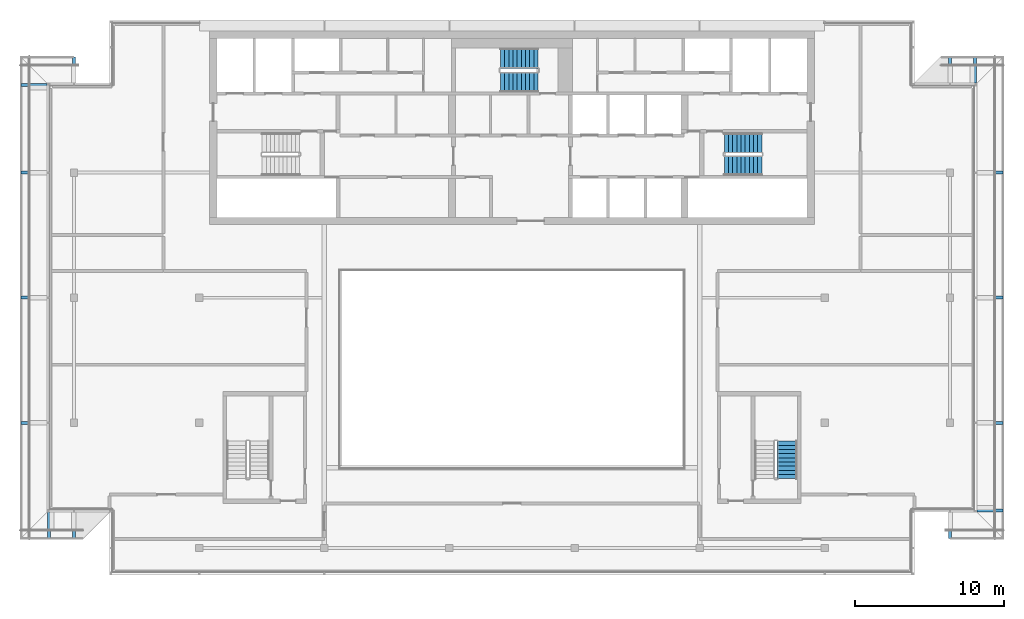
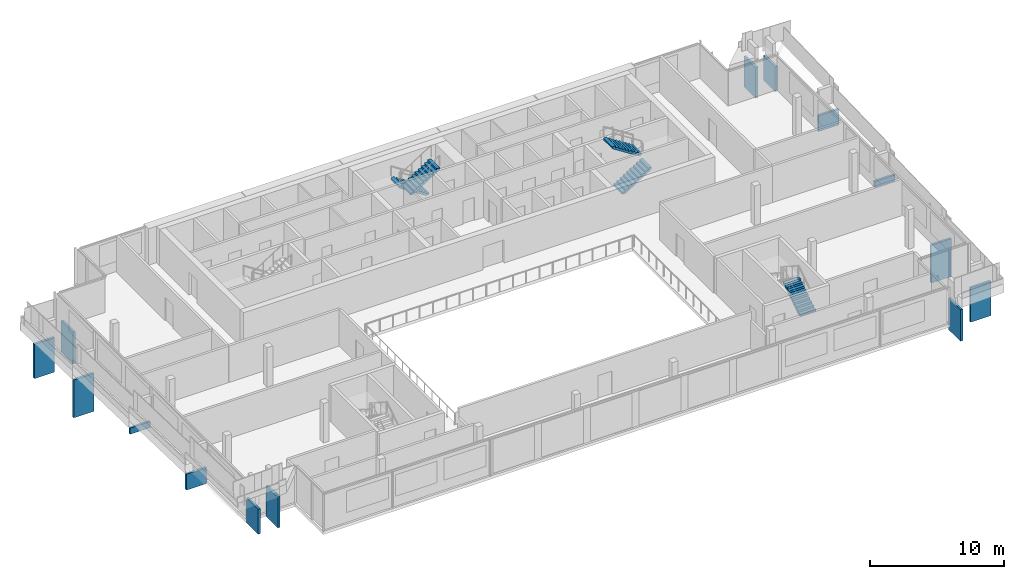
# One storey, part 15 of 20: 14 discrete accessories, 5 stair flights, 3 elements without a shape of their own.
"""IFC4 building model written with IfcOpenShell, lengths in metres."""

from ifc_helpers import new_model, si_unit, direction, frame, origin, origin_2d, place, context, subcontext, project, spatial, polyline, rectangle, outline, extrude, material, type_object, element, aggregate, save


model = new_model("IFC4")

# Units and contexts
model_context = context("Model", 3, precision=1e-05, world=origin(), true_north=direction((0.0, 1.0)))
body_context = subcontext(model_context, "Body", "Model", "MODEL_VIEW")
ifc_project = project(units=[si_unit("LENGTHUNIT", "METRE"), si_unit("AREAUNIT", "SQUARE_METRE"), si_unit("VOLUMEUNIT", "CUBIC_METRE"), si_unit("PLANEANGLEUNIT", "RADIAN"), si_unit("MASSUNIT", "GRAM", prefix="KILO")], contexts=[model_context])

# Site, building, storey
site_placement = place(None, origin())
site = spatial("IfcSite", under=ifc_project, at=site_placement, CompositionType="ELEMENT")
building_placement = place(site_placement, origin())
building = spatial("IfcBuilding", under=site, at=building_placement, Name="Saffron Gate Tower", CompositionType="ELEMENT")
storey_placement = place(building_placement, frame((0.0, 0.0, 303.14990234375)))
storey = spatial("IfcBuildingStorey", under=building, at=storey_placement, Name="L74", CompositionType="ELEMENT", Elevation=303.14990234375)

# Stair, stair flights
ifc_material = material(Name="Concrete C40", Category="concrete")
stair_type = type_object("IfcStairType", Name="ST7 Stair 1350 wide, 20 risers of 180", PredefinedType="HALF_TURN_STAIR", material=ifc_material)
stair_1_placement = place(storey_placement, origin())
stair_1 = element("IfcStair", 1, at=stair_1_placement, inside=storey, type_object=stair_type, Name="L74 Exit stair B", PredefinedType="HALF_TURN_STAIR")
stair_flight_type = type_object("IfcStairFlightType", Name="SF3 Stair flight 1350 wide, riser 180 going 280", PredefinedType="STRAIGHT", material=ifc_material)
stair_flight_1_placement = place(storey_placement, frame((101.85009765625, 65.875, 0.0), z_axis=(0.0, 0.0, 1.0), x_axis=(1.0, 0.0, 0.0)))
stair_flight_1 = element("IfcStairFlight", 2, at=stair_flight_1_placement, type_object=stair_flight_type, Name="ST-B flight 1", NumberOfRisers=10, NumberOfTreads=9, PredefinedType="STRAIGHT", RiserHeight=0.18, TreadLength=0.28, context=body_context, shape_type="SweptSolid", body=[
    extrude(outline(polyline([(0.0, 0.0), (0.0, 0.179931640625), (0.280029296875, 0.179931640625), (0.280029296875, 0.360107421875), (0.56005859375, 0.360107421875), (0.56005859375, 0.5400390625), (0.840087890625, 0.5400390625), (0.840087890625, 0.719970703125), (1.1201171875, 0.719970703125), (1.1201171875, 0.89990234375), (1.39990234375, 0.89990234375), (1.39990234375, 1.080078125), (1.679931640625, 1.080078125), (1.679931640625, 1.260009765625), (1.9599609375, 1.260009765625), (1.9599609375, 1.43994140625), (2.239990234375, 1.43994140625), (2.239990234375, 1.6201171875), (2.52001953125, 1.6201171875), (2.52001953125, 1.800048828125), (2.52001953125, 1.44189453125), (0.277099609375, 0.0), (0.0, 0.0)])), frame((0.0, 0.675048828125, 0.0), z_axis=(0.0, -1.0, 0.0), x_axis=(1.0, 0.0, 0.0)), (0.0, 0.0, 1.0), 1.35009765625),
])
stair_flight_2_placement = place(storey_placement, frame((104.3701171875, 67.375, 1.800048828125), z_axis=(0.0, 0.0, 1.0), x_axis=(-1.0, 0.0, 0.0)))
stair_flight_2 = element("IfcStairFlight", 3, at=stair_flight_2_placement, type_object=stair_flight_type, Name="ST-B flight 2", NumberOfRisers=10, NumberOfTreads=9, PredefinedType="STRAIGHT", RiserHeight=0.18, TreadLength=0.28, context=body_context, shape_type="SweptSolid", body=[
    extrude(outline(polyline([(0.0, 0.0), (0.0, 0.179931640625), (0.280029296875, 0.179931640625), (0.280029296875, 0.360107421875), (0.56005859375, 0.360107421875), (0.56005859375, 0.5400390625), (0.840087890625, 0.5400390625), (0.840087890625, 0.719970703125), (1.1201171875, 0.719970703125), (1.1201171875, 0.89990234375), (1.39990234375, 0.89990234375), (1.39990234375, 1.080078125), (1.679931640625, 1.080078125), (1.679931640625, 1.260009765625), (1.9599609375, 1.260009765625), (1.9599609375, 1.43994140625), (2.239990234375, 1.43994140625), (2.239990234375, 1.6201171875), (2.52001953125, 1.6201171875), (2.52001953125, 1.800048828125), (2.52001953125, 1.44189453125), (0.277099609375, 0.0), (0.0, 0.0)])), frame((0.0, 0.675048828125, 0.0), z_axis=(0.0, -1.0, 0.0), x_axis=(1.0, 0.0, 0.0)), (0.0, 0.0, 1.0), 1.35009765625),
])
aggregate(stair_1, [stair_flight_1, stair_flight_2])

stair_2_placement = place(storey_placement, origin())
stair_2 = element("IfcStair", 4, at=stair_2_placement, inside=storey, type_object=stair_type, Name="L74 Exit stair C", PredefinedType="HALF_TURN_STAIR")
stair_flight_3_placement = place(storey_placement, frame((89.35009765625, 73.074951171875, 0.0), z_axis=(0.0, 0.0, 1.0), x_axis=(-1.0, 0.0, 0.0)))
stair_flight_3 = element("IfcStairFlight", 5, at=stair_flight_3_placement, type_object=stair_flight_type, Name="ST-C flight 1", NumberOfRisers=10, NumberOfTreads=9, PredefinedType="STRAIGHT", RiserHeight=0.18, TreadLength=0.28, context=body_context, shape_type="SweptSolid", body=[
    extrude(outline(polyline([(0.0, 0.0), (0.0, 0.179931640625), (0.280029296875, 0.179931640625), (0.280029296875, 0.360107421875), (0.56005859375, 0.360107421875), (0.56005859375, 0.5400390625), (0.840087890625, 0.5400390625), (0.840087890625, 0.719970703125), (1.1201171875, 0.719970703125), (1.1201171875, 0.89990234375), (1.39990234375, 0.89990234375), (1.39990234375, 1.080078125), (1.679931640625, 1.080078125), (1.679931640625, 1.260009765625), (1.9599609375, 1.260009765625), (1.9599609375, 1.43994140625), (2.239990234375, 1.43994140625), (2.239990234375, 1.6201171875), (2.52001953125, 1.6201171875), (2.52001953125, 1.800048828125), (2.52001953125, 1.44189453125), (0.277099609375, 0.0), (0.0, 0.0)])), frame((0.0, 0.675048828125, 0.0), z_axis=(0.0, -1.0, 0.0), x_axis=(1.0, 0.0, 0.0)), (0.0, 0.0, 1.0), 1.35009765625),
])
stair_flight_4_placement = place(storey_placement, frame((86.830078125, 71.47509765625, 1.800048828125), z_axis=(0.0, 0.0, 1.0), x_axis=(1.0, 0.0, 0.0)))
stair_flight_4 = element("IfcStairFlight", 6, at=stair_flight_4_placement, type_object=stair_flight_type, Name="ST-C flight 2", NumberOfRisers=10, NumberOfTreads=9, PredefinedType="STRAIGHT", RiserHeight=0.18, TreadLength=0.28, context=body_context, shape_type="SweptSolid", body=[
    extrude(outline(polyline([(0.0, 0.0), (0.0, 0.179931640625), (0.280029296875, 0.179931640625), (0.280029296875, 0.360107421875), (0.56005859375, 0.360107421875), (0.56005859375, 0.5400390625), (0.840087890625, 0.5400390625), (0.840087890625, 0.719970703125), (1.1201171875, 0.719970703125), (1.1201171875, 0.89990234375), (1.39990234375, 0.89990234375), (1.39990234375, 1.080078125), (1.679931640625, 1.080078125), (1.679931640625, 1.260009765625), (1.9599609375, 1.260009765625), (1.9599609375, 1.43994140625), (2.239990234375, 1.43994140625), (2.239990234375, 1.6201171875), (2.52001953125, 1.6201171875), (2.52001953125, 1.800048828125), (2.52001953125, 1.44189453125), (0.277099609375, 0.0), (0.0, 0.0)])), frame((0.0, 0.675048828125, 0.0), z_axis=(0.0, -1.0, 0.0), x_axis=(1.0, 0.0, 0.0)), (0.0, 0.0, 1.0), 1.35009765625),
])
aggregate(stair_2, [stair_flight_3, stair_flight_4])

# Stair, stair flight
stair_3_placement = place(storey_placement, origin())
stair_3 = element("IfcStair", 7, at=stair_3_placement, inside=storey, type_object=stair_type, Name="L74 Exit stair E", PredefinedType="HALF_TURN_STAIR")
stair_flight_5_placement = place(storey_placement, frame((106.074951171875, 44.85009765625, 0.0), z_axis=(0.0, 0.0, 1.0), x_axis=(0.0, 1.0, 0.0)))
stair_flight_5 = element("IfcStairFlight", 8, at=stair_flight_5_placement, type_object=stair_flight_type, Name="ST-E flight 1", NumberOfRisers=10, NumberOfTreads=9, PredefinedType="STRAIGHT", RiserHeight=0.18, TreadLength=0.28, context=body_context, shape_type="SweptSolid", body=[
    extrude(outline(polyline([(0.0, 0.0), (0.0, 0.179931640625), (0.280029296875, 0.179931640625), (0.280029296875, 0.360107421875), (0.56005859375, 0.360107421875), (0.56005859375, 0.5400390625), (0.840087890625, 0.5400390625), (0.840087890625, 0.719970703125), (1.1201171875, 0.719970703125), (1.1201171875, 0.89990234375), (1.39990234375, 0.89990234375), (1.39990234375, 1.080078125), (1.679931640625, 1.080078125), (1.679931640625, 1.260009765625), (1.9599609375, 1.260009765625), (1.9599609375, 1.43994140625), (2.239990234375, 1.43994140625), (2.239990234375, 1.6201171875), (2.52001953125, 1.6201171875), (2.52001953125, 1.800048828125), (2.52001953125, 1.44189453125), (0.277099609375, 0.0), (0.0, 0.0)])), frame((0.0, 0.675048828125, 0.0), z_axis=(0.0, -1.0, 0.0), x_axis=(1.0, 0.0, 0.0)), (0.0, 0.0, 1.0), 1.35009765625),
])
aggregate(stair_3, [stair_flight_5])

# Discrete accessories
discrete_accessory_1_placement = place(storey_placement, frame((58.199951171875, 72.27490234375, -3.8798828125), z_axis=(0.0, 0.0, 1.0), x_axis=(-1.0, 0.0, 0.0)))
element("IfcDiscreteAccessory", 9, at=discrete_accessory_1_placement, inside=storey, Name="LEDGE rib", PredefinedType="BRACKET", context=body_context, shape_type="SweptSolid", body=[
    extrude(rectangle(XDim=0.199951171875, YDim=1.75, at=origin_2d()), origin(), (0.0, 0.0, 1.0), 2.88916015625),
])
discrete_accessory_2_placement = place(storey_placement, frame((55.52490234375, 71.280029296875, -3.8798828125), z_axis=(0.0, 0.0, 1.0), x_axis=(0.0, -1.0, 0.0)))
element("IfcDiscreteAccessory", 10, at=discrete_accessory_2_placement, inside=storey, Name="LEDGE rib", PredefinedType="BRACKET", context=body_context, shape_type="SweptSolid", body=[
    extrude(rectangle(XDim=0.199951171875, YDim=1.75, at=origin_2d()), origin(), (0.0, 0.0, 1.0), 3.1279296875),
])
discrete_accessory_3_placement = place(storey_placement, frame((55.52490234375, 65.39990234375, -3.8798828125), z_axis=(0.0, 0.0, 1.0), x_axis=(0.0, -1.0, 0.0)))
element("IfcDiscreteAccessory", 11, at=discrete_accessory_3_placement, inside=storey, Name="LEDGE rib", PredefinedType="BRACKET", context=body_context, shape_type="SweptSolid", body=[
    extrude(rectangle(XDim=0.199951171875, YDim=1.75, at=origin_2d()), origin(), (0.0, 0.0, 1.0), 3.44091796875),
])
discrete_accessory_4_placement = place(storey_placement, frame((55.52490234375, 57.0, -0.27978515625), z_axis=(0.0, 0.0, 1.0), x_axis=(0.0, -1.0, 0.0)))
element("IfcDiscreteAccessory", 12, at=discrete_accessory_4_placement, inside=storey, Name="LEDGE rib", PredefinedType="BRACKET", context=body_context, shape_type="SweptSolid", body=[
    extrude(rectangle(XDim=0.199951171875, YDim=1.75, at=origin_2d()), origin(), (0.0, 0.0, 1.0), 0.550537109375),
])
discrete_accessory_5_placement = place(storey_placement, frame((55.52490234375, 48.60009765625, -0.27978515625), z_axis=(0.0, 0.0, 1.0), x_axis=(0.0, -1.0, 0.0)))
element("IfcDiscreteAccessory", 13, at=discrete_accessory_5_placement, inside=storey, Name="LEDGE rib", PredefinedType="BRACKET", context=body_context, shape_type="SweptSolid", body=[
    extrude(rectangle(XDim=0.199951171875, YDim=1.75, at=origin_2d()), origin(), (0.0, 0.0, 1.0), 1.44677734375),
])
discrete_accessory_6_placement = place(storey_placement, frame((56.52001953125, 41.72509765625, -0.27978515625), z_axis=(0.0, 0.0, 1.0), x_axis=(1.0, 0.0, 0.0)))
element("IfcDiscreteAccessory", 14, at=discrete_accessory_6_placement, inside=storey, Name="LEDGE rib", PredefinedType="BRACKET", context=body_context, shape_type="SweptSolid", body=[
    extrude(rectangle(XDim=0.199951171875, YDim=1.75, at=origin_2d()), origin(), (0.0, 0.0, 1.0), 2.274169921875),
])
discrete_accessory_7_placement = place(storey_placement, frame((58.199951171875, 41.72509765625, -0.27978515625), z_axis=(0.0, 0.0, 1.0), x_axis=(1.0, 0.0, 0.0)))
element("IfcDiscreteAccessory", 15, at=discrete_accessory_7_placement, inside=storey, Name="LEDGE rib", PredefinedType="BRACKET", context=body_context, shape_type="SweptSolid", body=[
    extrude(rectangle(XDim=0.199951171875, YDim=1.75, at=origin_2d()), origin(), (0.0, 0.0, 1.0), 2.79345703125),
])
discrete_accessory_8_placement = place(storey_placement, frame((117.0, 41.72509765625, -3.8798828125), z_axis=(0.0, 0.0, 1.0), x_axis=(1.0, 0.0, 0.0)))
element("IfcDiscreteAccessory", 16, at=discrete_accessory_8_placement, inside=storey, Name="LEDGE rib", PredefinedType="BRACKET", context=body_context, shape_type="SweptSolid", body=[
    extrude(rectangle(XDim=0.199951171875, YDim=1.75, at=origin_2d()), origin(), (0.0, 0.0, 1.0), 2.88916015625),
])
discrete_accessory_9_placement = place(storey_placement, frame((119.675048828125, 42.719970703125, -3.8798828125), z_axis=(0.0, 0.0, 1.0), x_axis=(0.0, 1.0, 0.0)))
element("IfcDiscreteAccessory", 17, at=discrete_accessory_9_placement, inside=storey, Name="LEDGE rib", PredefinedType="BRACKET", context=body_context, shape_type="SweptSolid", body=[
    extrude(rectangle(XDim=0.199951171875, YDim=1.75, at=origin_2d()), origin(), (0.0, 0.0, 1.0), 3.1279296875),
])
discrete_accessory_10_placement = place(storey_placement, frame((119.675048828125, 48.60009765625, -3.8798828125), z_axis=(0.0, 0.0, 1.0), x_axis=(0.0, 1.0, 0.0)))
element("IfcDiscreteAccessory", 18, at=discrete_accessory_10_placement, inside=storey, Name="LEDGE rib", PredefinedType="BRACKET", context=body_context, shape_type="SweptSolid", body=[
    extrude(rectangle(XDim=0.199951171875, YDim=1.75, at=origin_2d()), origin(), (0.0, 0.0, 1.0), 3.44091796875),
])
discrete_accessory_11_placement = place(storey_placement, frame((119.675048828125, 57.0, -0.27978515625), z_axis=(0.0, 0.0, 1.0), x_axis=(0.0, 1.0, 0.0)))
element("IfcDiscreteAccessory", 19, at=discrete_accessory_11_placement, inside=storey, Name="LEDGE rib", PredefinedType="BRACKET", context=body_context, shape_type="SweptSolid", body=[
    extrude(rectangle(XDim=0.199951171875, YDim=1.75, at=origin_2d()), origin(), (0.0, 0.0, 1.0), 0.550537109375),
])
discrete_accessory_12_placement = place(storey_placement, frame((119.675048828125, 65.39990234375, -0.27978515625), z_axis=(0.0, 0.0, 1.0), x_axis=(0.0, 1.0, 0.0)))
element("IfcDiscreteAccessory", 20, at=discrete_accessory_12_placement, inside=storey, Name="LEDGE rib", PredefinedType="BRACKET", context=body_context, shape_type="SweptSolid", body=[
    extrude(rectangle(XDim=0.199951171875, YDim=1.75, at=origin_2d()), origin(), (0.0, 0.0, 1.0), 1.44677734375),
])
discrete_accessory_13_placement = place(storey_placement, frame((118.679931640625, 72.27490234375, -0.27978515625), z_axis=(0.0, 0.0, 1.0), x_axis=(-1.0, 0.0, 0.0)))
element("IfcDiscreteAccessory", 21, at=discrete_accessory_13_placement, inside=storey, Name="LEDGE rib", PredefinedType="BRACKET", context=body_context, shape_type="SweptSolid", body=[
    extrude(rectangle(XDim=0.199951171875, YDim=1.75, at=origin_2d()), origin(), (0.0, 0.0, 1.0), 2.274169921875),
])
discrete_accessory_14_placement = place(storey_placement, frame((117.0, 72.27490234375, -0.27978515625), z_axis=(0.0, 0.0, 1.0), x_axis=(-1.0, 0.0, 0.0)))
element("IfcDiscreteAccessory", 22, at=discrete_accessory_14_placement, inside=storey, Name="LEDGE rib", PredefinedType="BRACKET", context=body_context, shape_type="SweptSolid", body=[
    extrude(rectangle(XDim=0.199951171875, YDim=1.75, at=origin_2d()), origin(), (0.0, 0.0, 1.0), 2.79345703125),
])

save(model, "model.ifc")
